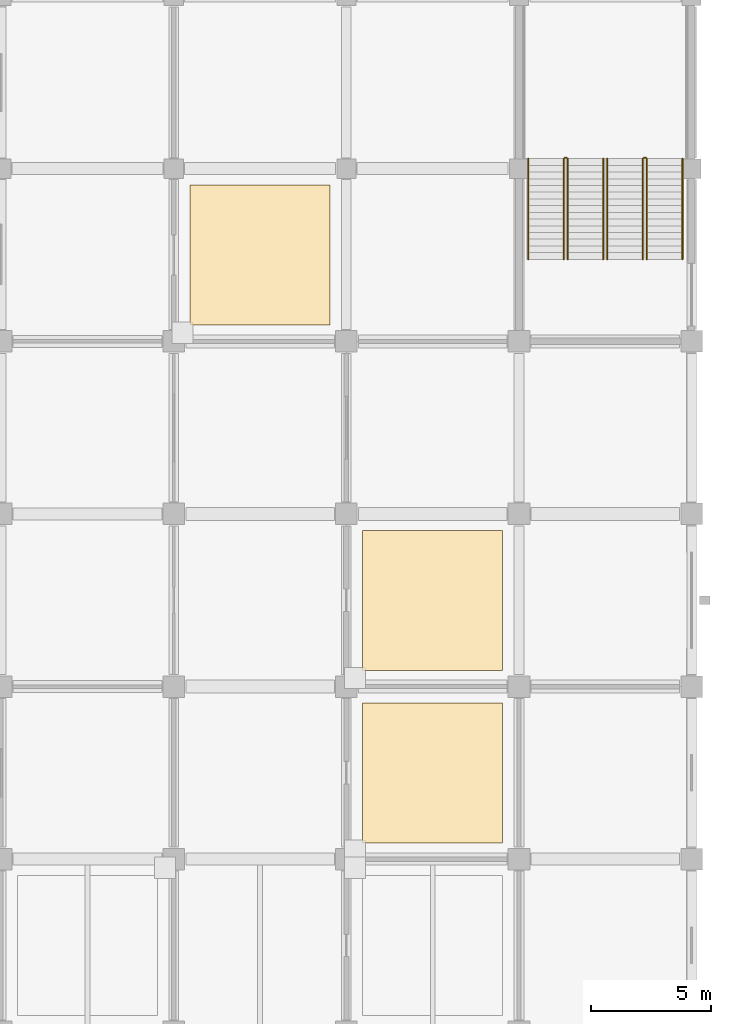
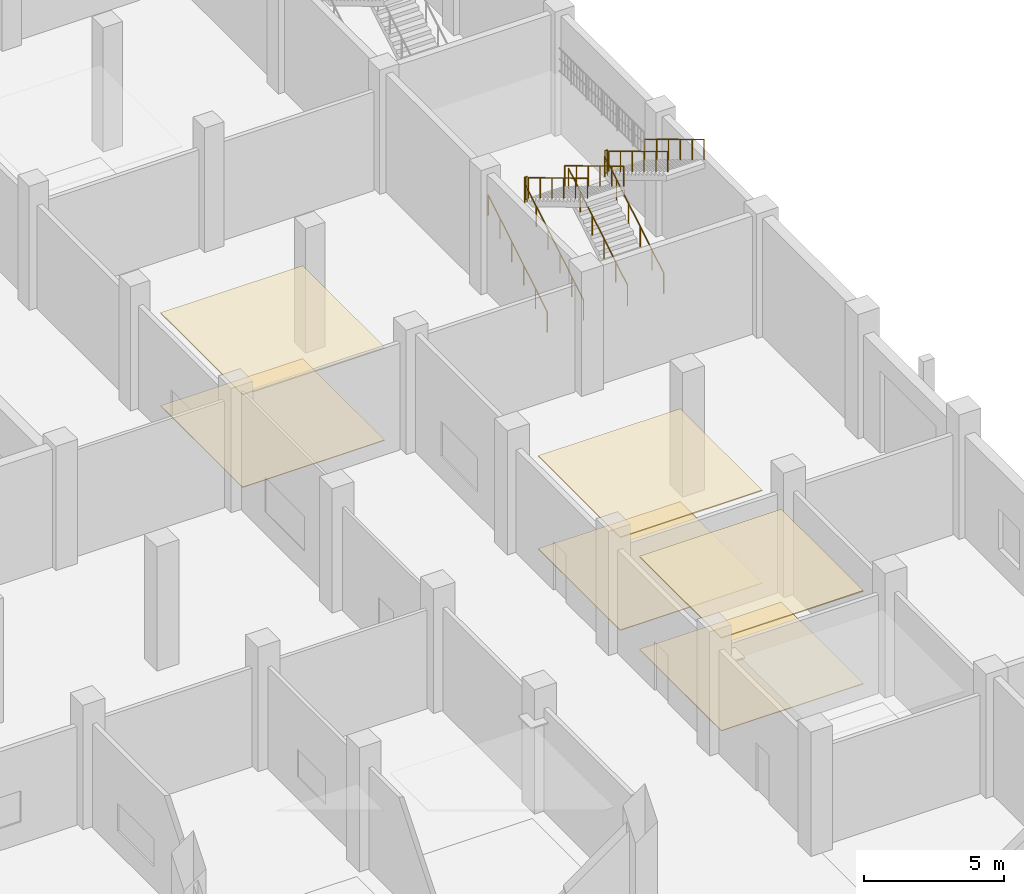
# One storey, part 67 of 70: 10 railings, 6 coverings.
"""IFC4 building model written with IfcOpenShell, lengths in metres."""

from ifc_helpers import new_model, si_unit, direction, frame, origin, origin_2d, place, context, subcontext, project, spatial, polyline, circle, outline, extrude, material, layer, layer_set, type_object, element, save


model = new_model("IFC4")

# Units and contexts
model_context = context("Model", 3, precision=1e-05, world=origin(), true_north=direction((0.0, 1.0)))
body_context = subcontext(model_context, "Body", "Model", "MODEL_VIEW")
ifc_project = project(units=[si_unit("LENGTHUNIT", "METRE"), si_unit("AREAUNIT", "SQUARE_METRE"), si_unit("VOLUMEUNIT", "CUBIC_METRE"), si_unit("PLANEANGLEUNIT", "RADIAN"), si_unit("MASSUNIT", "GRAM", prefix="KILO")], contexts=[model_context])

# Site, building, storey
site_placement = place(None, origin())
site = spatial("IfcSite", under=ifc_project, at=site_placement, CompositionType="ELEMENT")
building_placement = place(site_placement, origin())
building = spatial("IfcBuilding", under=site, at=building_placement, Name="Vesperath Aquatics Centre", CompositionType="ELEMENT")
storey_placement = place(building_placement, origin())
storey = spatial("IfcBuildingStorey", under=building, at=storey_placement, Name="L00", CompositionType="ELEMENT", Elevation=0.0)

# Coverings
ifc_material_1 = material(Name="Perforated moisture-resistant acoustic mineral-fibre ceiling", Category="gypsum")
ifc_layer_1 = layer(ifc_material_1, 0.044921875)
ifc_layer_set_1 = layer_set([ifc_layer_1], Name="Perforated moisture-resistant acoustic mineral-fibre ceiling")
covering_type_1 = type_object("IfcCoveringType", Name="CV-CLG01", PredefinedType="CEILING", material=ifc_layer_set_1)
covering_1_placement = place(storey_placement, frame((0.0, 0.0, 4.02490234375)))
element("IfcCovering", 1, at=covering_1_placement, inside=storey, type_object=covering_type_1, Name="Acoustic Suspended Ceiling CLG1 L00_CHG_M", PredefinedType="CEILING", context=body_context, shape_type="SweptSolid", body=[
    extrude(outline(polyline([(151.8798828125, 51.080078125), (157.719970703125, 51.080078125), (157.719970703125, 56.919921875), (151.8798828125, 56.919921875), (151.8798828125, 51.080078125)])), origin(), (0.0, 0.0, 1.0), 0.045166015625),
])
covering_2_placement = place(storey_placement, frame((0.0, 0.0, 4.02490234375)))
element("IfcCovering", 2, at=covering_2_placement, inside=storey, type_object=covering_type_1, Name="Acoustic Suspended Ceiling CLG1 L00_FWC", PredefinedType="CEILING", context=body_context, shape_type="SweptSolid", body=[
    extrude(outline(polyline([(159.080078125, 29.47998046875), (164.919921875, 29.47998046875), (164.919921875, 35.320068359375), (159.080078125, 35.320068359375), (159.080078125, 29.47998046875)])), origin(), (0.0, 0.0, 1.0), 0.045166015625),
])
covering_3_placement = place(storey_placement, frame((0.0, 0.0, 4.02490234375)))
element("IfcCovering", 3, at=covering_3_placement, inside=storey, type_object=covering_type_1, Name="Acoustic Suspended Ceiling CLG1 L00_LOADING", PredefinedType="CEILING", context=body_context, shape_type="SweptSolid", body=[
    extrude(outline(polyline([(159.080078125, 36.679931640625), (164.919921875, 36.679931640625), (164.919921875, 42.52001953125), (159.080078125, 42.52001953125), (159.080078125, 36.679931640625)])), origin(), (0.0, 0.0, 1.0), 0.045166015625),
])
ifc_material_2 = material(Name="Slip-resistant vitrified ceramic and terrazzo flooring", Category="ceramic")
ifc_layer_2 = layer(ifc_material_2, 0.030029296875)
ifc_layer_set_2 = layer_set([ifc_layer_2], Name="Slip-resistant vitrified ceramic and terrazzo flooring")
covering_type_2 = type_object("IfcCoveringType", Name="CV-FLR01", PredefinedType="FLOORING", material=ifc_layer_set_2)
covering_4_placement = place(storey_placement, origin())
element("IfcCovering", 4, at=covering_4_placement, inside=storey, type_object=covering_type_2, Name="Slip-Resistant Floor Finish FLR1 L00_CHG_M", PredefinedType="FLOORING", context=body_context, shape_type="SweptSolid", body=[
    extrude(outline(polyline([(151.8798828125, 51.080078125), (157.719970703125, 51.080078125), (157.719970703125, 56.919921875), (151.8798828125, 56.919921875), (151.8798828125, 51.080078125)])), origin(), (0.0, 0.0, 1.0), 0.030029296875),
])
covering_5_placement = place(storey_placement, origin())
element("IfcCovering", 5, at=covering_5_placement, inside=storey, type_object=covering_type_2, Name="Slip-Resistant Floor Finish FLR1 L00_FWC", PredefinedType="FLOORING", context=body_context, shape_type="SweptSolid", body=[
    extrude(outline(polyline([(159.080078125, 29.47998046875), (164.919921875, 29.47998046875), (164.919921875, 35.320068359375), (159.080078125, 35.320068359375), (159.080078125, 29.47998046875)])), origin(), (0.0, 0.0, 1.0), 0.030029296875),
])
covering_6_placement = place(storey_placement, origin())
element("IfcCovering", 6, at=covering_6_placement, inside=storey, type_object=covering_type_2, Name="Slip-Resistant Floor Finish FLR1 L00_LOADING", PredefinedType="FLOORING", context=body_context, shape_type="SweptSolid", body=[
    extrude(outline(polyline([(159.080078125, 36.679931640625), (164.919921875, 36.679931640625), (164.919921875, 42.52001953125), (159.080078125, 42.52001953125), (159.080078125, 36.679931640625)])), origin(), (0.0, 0.0, 1.0), 0.030029296875),
])

# Railings
ifc_material_3 = material(Name="Powder-coated galvanized steel safety guard", Category="steel")
railing_type_1 = type_object("IfcRailingType", Name="RL-GRD01", PredefinedType="GUARDRAIL", material=ifc_material_3)
railing_1_placement = place(storey_placement, frame((167.5, 58.06005859375, 2.699951171875)))
element("IfcRailing", 7, at=railing_1_placement, inside=storey, type_object=railing_type_1, Name="Stair ST12A Half-Landing Slot Guard GR02 L00", PredefinedType="GUARDRAIL", context=body_context, shape_type="SweptSolid", body=[
    extrude(circle(Radius=0.02392578125, at=origin_2d()), frame((0.0, 0.0, 1.0859375), z_axis=(1.0, 0.0, 0.0), x_axis=(0.0, 1.0, 0.0)), (0.0, 0.0, 1.0), 0.10009765625),
    extrude(circle(Radius=0.01611328125, at=origin_2d()), frame((0.0, 0.0, 0.10009765625), z_axis=(1.0, 0.0, 0.0), x_axis=(0.0, 1.0, 0.0)), (0.0, 0.0, 1.0), 0.10009765625),
    extrude(circle(Radius=0.01611328125, at=origin_2d()), frame((0.0, 0.0, 0.610595703125), z_axis=(1.0, 0.0, 0.0), x_axis=(0.0, 1.0, 0.0)), (0.0, 0.0, 1.0), 0.10009765625),
    extrude(circle(Radius=0.009033203125, at=origin_2d()), frame((0.050048828125, 0.0, 0.10009765625)), (0.0, 0.0, 1.0), 0.9619140625),
    extrude(circle(Radius=0.02197265625, at=origin_2d()), origin(), (0.0, 0.0, 1.0), 1.0859375),
    extrude(circle(Radius=0.02197265625, at=origin_2d()), frame((0.10009765625, 0.0, 0.0)), (0.0, 0.0, 1.0), 1.0859375),
])
railing_2_placement = place(storey_placement, frame((170.800048828125, 58.06005859375, 2.699951171875)))
element("IfcRailing", 8, at=railing_2_placement, inside=storey, type_object=railing_type_1, Name="Stair ST12B Half-Landing Slot Guard GR02 L00", PredefinedType="GUARDRAIL", context=body_context, shape_type="SweptSolid", body=[
    extrude(circle(Radius=0.02392578125, at=origin_2d()), frame((0.0, 0.0, 1.0859375), z_axis=(1.0, 0.0, 0.0), x_axis=(0.0, 1.0, 0.0)), (0.0, 0.0, 1.0), 0.099853515625),
    extrude(circle(Radius=0.01611328125, at=origin_2d()), frame((0.0, 0.0, 0.10009765625), z_axis=(1.0, 0.0, 0.0), x_axis=(0.0, 1.0, 0.0)), (0.0, 0.0, 1.0), 0.099853515625),
    extrude(circle(Radius=0.01611328125, at=origin_2d()), frame((0.0, 0.0, 0.610595703125), z_axis=(1.0, 0.0, 0.0), x_axis=(0.0, 1.0, 0.0)), (0.0, 0.0, 1.0), 0.099853515625),
    extrude(circle(Radius=0.009033203125, at=origin_2d()), frame((0.0498046875, 0.0, 0.10009765625)), (0.0, 0.0, 1.0), 0.9619140625),
    extrude(circle(Radius=0.02197265625, at=origin_2d()), origin(), (0.0, 0.0, 1.0), 1.0859375),
    extrude(circle(Radius=0.02197265625, at=origin_2d()), frame((0.099853515625, 0.0, 0.0)), (0.0, 0.0, 1.0), 1.0859375),
])
ifc_material_4 = material(Name="Brushed stainless steel tubular handrail", Category="steel")
railing_type_2 = type_object("IfcRailingType", Name="RL-HND01", PredefinedType="HANDRAIL", material=ifc_material_4)
railing_3_placement = place(storey_placement, frame((167.469970703125, 53.820068359375, 0.168701171875)))
element("IfcRailing", 9, at=railing_3_placement, inside=storey, type_object=railing_type_2, Name="Stair ST12A Flight 1 Handrail HR01 L00", PredefinedType="HANDRAIL", context=body_context, shape_type="SweptSolid", body=[
    extrude(circle(Radius=0.02392578125, at=origin_2d()), frame((0.0, 0.0, 0.8759765625), z_axis=(0.0, 0.856476492594, 0.516186030065), x_axis=(-1.0, 0.0, 0.0)), (0.0, 0.0, 1.0), 4.90380859375),
    extrude(circle(Radius=0.02197265625, at=origin_2d()), origin(), (0.0, 0.0, 1.0), 0.8759765625),
    extrude(circle(Radius=0.02197265625, at=origin_2d()), frame((0.0, 0.840087890625, 0.50634765625)), (0.0, 0.0, 1.0), 0.8759765625),
    extrude(circle(Radius=0.02197265625, at=origin_2d()), frame((0.0, 1.679931640625, 1.012451171875)), (0.0, 0.0, 1.0), 0.8759765625),
    extrude(circle(Radius=0.02197265625, at=origin_2d()), frame((0.0, 2.52001953125, 1.518798828125)), (0.0, 0.0, 1.0), 0.8759765625),
    extrude(circle(Radius=0.02197265625, at=origin_2d()), frame((0.0, 3.35986328125, 2.02490234375)), (0.0, 0.0, 1.0), 0.8759765625),
    extrude(circle(Radius=0.02197265625, at=origin_2d()), frame((0.0, 4.199951171875, 2.53125)), (0.0, 0.0, 1.0), 0.8759765625),
])
railing_4_placement = place(storey_placement, frame((167.6298828125, 58.02001953125, 2.86865234375)))
element("IfcRailing", 10, at=railing_4_placement, inside=storey, type_object=railing_type_2, Name="Stair ST12A Flight 2 Handrail HR01 L00", PredefinedType="HANDRAIL", context=body_context, shape_type="SweptSolid", body=[
    extrude(circle(Radius=0.02392578125, at=origin_2d()), frame((0.0, 0.0, 0.8759765625), z_axis=(0.0, -0.856476492594, 0.516186030065), x_axis=(1.0, 0.0, 0.0)), (0.0, 0.0, 1.0), 4.90380859375),
    extrude(circle(Radius=0.02197265625, at=origin_2d()), origin(), (0.0, 0.0, 1.0), 0.8759765625),
    extrude(circle(Radius=0.02197265625, at=origin_2d()), frame((0.0, -0.840087890625, 0.50634765625)), (0.0, 0.0, 1.0), 0.8759765625),
    extrude(circle(Radius=0.02197265625, at=origin_2d()), frame((0.0, -1.679931640625, 1.012451171875)), (0.0, 0.0, 1.0), 0.8759765625),
    extrude(circle(Radius=0.02197265625, at=origin_2d()), frame((0.0, -2.52001953125, 1.518798828125)), (0.0, 0.0, 1.0), 0.8759765625),
    extrude(circle(Radius=0.02197265625, at=origin_2d()), frame((0.0, -3.35986328125, 2.02490234375)), (0.0, 0.0, 1.0), 0.8759765625),
    extrude(circle(Radius=0.02197265625, at=origin_2d()), frame((0.0, -4.199951171875, 2.53125)), (0.0, 0.0, 1.0), 0.8759765625),
])
railing_5_placement = place(storey_placement, frame((165.97998046875, 53.820068359375, 0.168701171875)))
element("IfcRailing", 11, at=railing_5_placement, inside=storey, type_object=railing_type_2, Name="Stair ST12A Flight 1 Handrail HR01 L00", PredefinedType="HANDRAIL", context=body_context, shape_type="SweptSolid", body=[
    extrude(circle(Radius=0.02392578125, at=origin_2d()), frame((0.0, 0.0, 0.8759765625), z_axis=(0.0, 0.856476492594, 0.516186030065), x_axis=(-1.0, 0.0, 0.0)), (0.0, 0.0, 1.0), 4.90380859375),
    extrude(circle(Radius=0.02197265625, at=origin_2d()), origin(), (0.0, 0.0, 1.0), 0.8759765625),
    extrude(circle(Radius=0.02197265625, at=origin_2d()), frame((0.0, 0.840087890625, 0.50634765625)), (0.0, 0.0, 1.0), 0.8759765625),
    extrude(circle(Radius=0.02197265625, at=origin_2d()), frame((0.0, 1.679931640625, 1.012451171875)), (0.0, 0.0, 1.0), 0.8759765625),
    extrude(circle(Radius=0.02197265625, at=origin_2d()), frame((0.0, 2.52001953125, 1.518798828125)), (0.0, 0.0, 1.0), 0.8759765625),
    extrude(circle(Radius=0.02197265625, at=origin_2d()), frame((0.0, 3.35986328125, 2.02490234375)), (0.0, 0.0, 1.0), 0.8759765625),
    extrude(circle(Radius=0.02197265625, at=origin_2d()), frame((0.0, 4.199951171875, 2.53125)), (0.0, 0.0, 1.0), 0.8759765625),
])
railing_6_placement = place(storey_placement, frame((169.1201171875, 58.02001953125, 2.86865234375)))
element("IfcRailing", 12, at=railing_6_placement, inside=storey, type_object=railing_type_2, Name="Stair ST12A Flight 2 Handrail HR01 L00", PredefinedType="HANDRAIL", context=body_context, shape_type="SweptSolid", body=[
    extrude(circle(Radius=0.02392578125, at=origin_2d()), frame((0.0, 0.0, 0.8759765625), z_axis=(0.0, -0.856476492594, 0.516186030065), x_axis=(1.0, 0.0, 0.0)), (0.0, 0.0, 1.0), 4.90380859375),
    extrude(circle(Radius=0.02197265625, at=origin_2d()), origin(), (0.0, 0.0, 1.0), 0.8759765625),
    extrude(circle(Radius=0.02197265625, at=origin_2d()), frame((0.0, -0.840087890625, 0.50634765625)), (0.0, 0.0, 1.0), 0.8759765625),
    extrude(circle(Radius=0.02197265625, at=origin_2d()), frame((0.0, -1.679931640625, 1.012451171875)), (0.0, 0.0, 1.0), 0.8759765625),
    extrude(circle(Radius=0.02197265625, at=origin_2d()), frame((0.0, -2.52001953125, 1.518798828125)), (0.0, 0.0, 1.0), 0.8759765625),
    extrude(circle(Radius=0.02197265625, at=origin_2d()), frame((0.0, -3.35986328125, 2.02490234375)), (0.0, 0.0, 1.0), 0.8759765625),
    extrude(circle(Radius=0.02197265625, at=origin_2d()), frame((0.0, -4.199951171875, 2.53125)), (0.0, 0.0, 1.0), 0.8759765625),
])
railing_7_placement = place(storey_placement, frame((170.77001953125, 53.820068359375, 0.168701171875)))
element("IfcRailing", 13, at=railing_7_placement, inside=storey, type_object=railing_type_2, Name="Stair ST12B Flight 1 Handrail HR01 L00", PredefinedType="HANDRAIL", context=body_context, shape_type="SweptSolid", body=[
    extrude(circle(Radius=0.02392578125, at=origin_2d()), frame((0.0, 0.0, 0.8759765625), z_axis=(0.0, 0.856476492594, 0.516186030065), x_axis=(-1.0, 0.0, 0.0)), (0.0, 0.0, 1.0), 4.90380859375),
    extrude(circle(Radius=0.02197265625, at=origin_2d()), origin(), (0.0, 0.0, 1.0), 0.8759765625),
    extrude(circle(Radius=0.02197265625, at=origin_2d()), frame((0.0, 0.840087890625, 0.50634765625)), (0.0, 0.0, 1.0), 0.8759765625),
    extrude(circle(Radius=0.02197265625, at=origin_2d()), frame((0.0, 1.679931640625, 1.012451171875)), (0.0, 0.0, 1.0), 0.8759765625),
    extrude(circle(Radius=0.02197265625, at=origin_2d()), frame((0.0, 2.52001953125, 1.518798828125)), (0.0, 0.0, 1.0), 0.8759765625),
    extrude(circle(Radius=0.02197265625, at=origin_2d()), frame((0.0, 3.35986328125, 2.02490234375)), (0.0, 0.0, 1.0), 0.8759765625),
    extrude(circle(Radius=0.02197265625, at=origin_2d()), frame((0.0, 4.199951171875, 2.53125)), (0.0, 0.0, 1.0), 0.8759765625),
])
railing_8_placement = place(storey_placement, frame((170.929931640625, 58.02001953125, 2.86865234375)))
element("IfcRailing", 14, at=railing_8_placement, inside=storey, type_object=railing_type_2, Name="Stair ST12B Flight 2 Handrail HR01 L00", PredefinedType="HANDRAIL", context=body_context, shape_type="SweptSolid", body=[
    extrude(circle(Radius=0.02392578125, at=origin_2d()), frame((0.0, 0.0, 0.8759765625), z_axis=(0.0, -0.856476492594, 0.516186030065), x_axis=(1.0, 0.0, 0.0)), (0.0, 0.0, 1.0), 4.90380859375),
    extrude(circle(Radius=0.02197265625, at=origin_2d()), origin(), (0.0, 0.0, 1.0), 0.8759765625),
    extrude(circle(Radius=0.02197265625, at=origin_2d()), frame((0.0, -0.840087890625, 0.50634765625)), (0.0, 0.0, 1.0), 0.8759765625),
    extrude(circle(Radius=0.02197265625, at=origin_2d()), frame((0.0, -1.679931640625, 1.012451171875)), (0.0, 0.0, 1.0), 0.8759765625),
    extrude(circle(Radius=0.02197265625, at=origin_2d()), frame((0.0, -2.52001953125, 1.518798828125)), (0.0, 0.0, 1.0), 0.8759765625),
    extrude(circle(Radius=0.02197265625, at=origin_2d()), frame((0.0, -3.35986328125, 2.02490234375)), (0.0, 0.0, 1.0), 0.8759765625),
    extrude(circle(Radius=0.02197265625, at=origin_2d()), frame((0.0, -4.199951171875, 2.53125)), (0.0, 0.0, 1.0), 0.8759765625),
])
railing_9_placement = place(storey_placement, frame((169.280029296875, 53.820068359375, 0.168701171875)))
element("IfcRailing", 15, at=railing_9_placement, inside=storey, type_object=railing_type_2, Name="Stair ST12B Flight 1 Handrail HR01 L00", PredefinedType="HANDRAIL", context=body_context, shape_type="SweptSolid", body=[
    extrude(circle(Radius=0.02392578125, at=origin_2d()), frame((0.0, 0.0, 0.8759765625), z_axis=(0.0, 0.856476492594, 0.516186030065), x_axis=(-1.0, 0.0, 0.0)), (0.0, 0.0, 1.0), 4.90380859375),
    extrude(circle(Radius=0.02197265625, at=origin_2d()), origin(), (0.0, 0.0, 1.0), 0.8759765625),
    extrude(circle(Radius=0.02197265625, at=origin_2d()), frame((0.0, 0.840087890625, 0.50634765625)), (0.0, 0.0, 1.0), 0.8759765625),
    extrude(circle(Radius=0.02197265625, at=origin_2d()), frame((0.0, 1.679931640625, 1.012451171875)), (0.0, 0.0, 1.0), 0.8759765625),
    extrude(circle(Radius=0.02197265625, at=origin_2d()), frame((0.0, 2.52001953125, 1.518798828125)), (0.0, 0.0, 1.0), 0.8759765625),
    extrude(circle(Radius=0.02197265625, at=origin_2d()), frame((0.0, 3.35986328125, 2.02490234375)), (0.0, 0.0, 1.0), 0.8759765625),
    extrude(circle(Radius=0.02197265625, at=origin_2d()), frame((0.0, 4.199951171875, 2.53125)), (0.0, 0.0, 1.0), 0.8759765625),
])
railing_10_placement = place(storey_placement, frame((172.419921875, 58.02001953125, 2.86865234375)))
element("IfcRailing", 16, at=railing_10_placement, inside=storey, type_object=railing_type_2, Name="Stair ST12B Flight 2 Handrail HR01 L00", PredefinedType="HANDRAIL", context=body_context, shape_type="SweptSolid", body=[
    extrude(circle(Radius=0.02392578125, at=origin_2d()), frame((0.0, 0.0, 0.8759765625), z_axis=(0.0, -0.856476492594, 0.516186030065), x_axis=(1.0, 0.0, 0.0)), (0.0, 0.0, 1.0), 4.90380859375),
    extrude(circle(Radius=0.02197265625, at=origin_2d()), origin(), (0.0, 0.0, 1.0), 0.8759765625),
    extrude(circle(Radius=0.02197265625, at=origin_2d()), frame((0.0, -0.840087890625, 0.50634765625)), (0.0, 0.0, 1.0), 0.8759765625),
    extrude(circle(Radius=0.02197265625, at=origin_2d()), frame((0.0, -1.679931640625, 1.012451171875)), (0.0, 0.0, 1.0), 0.8759765625),
    extrude(circle(Radius=0.02197265625, at=origin_2d()), frame((0.0, -2.52001953125, 1.518798828125)), (0.0, 0.0, 1.0), 0.8759765625),
    extrude(circle(Radius=0.02197265625, at=origin_2d()), frame((0.0, -3.35986328125, 2.02490234375)), (0.0, 0.0, 1.0), 0.8759765625),
    extrude(circle(Radius=0.02197265625, at=origin_2d()), frame((0.0, -4.199951171875, 2.53125)), (0.0, 0.0, 1.0), 0.8759765625),
])

save(model, "model.ifc")
